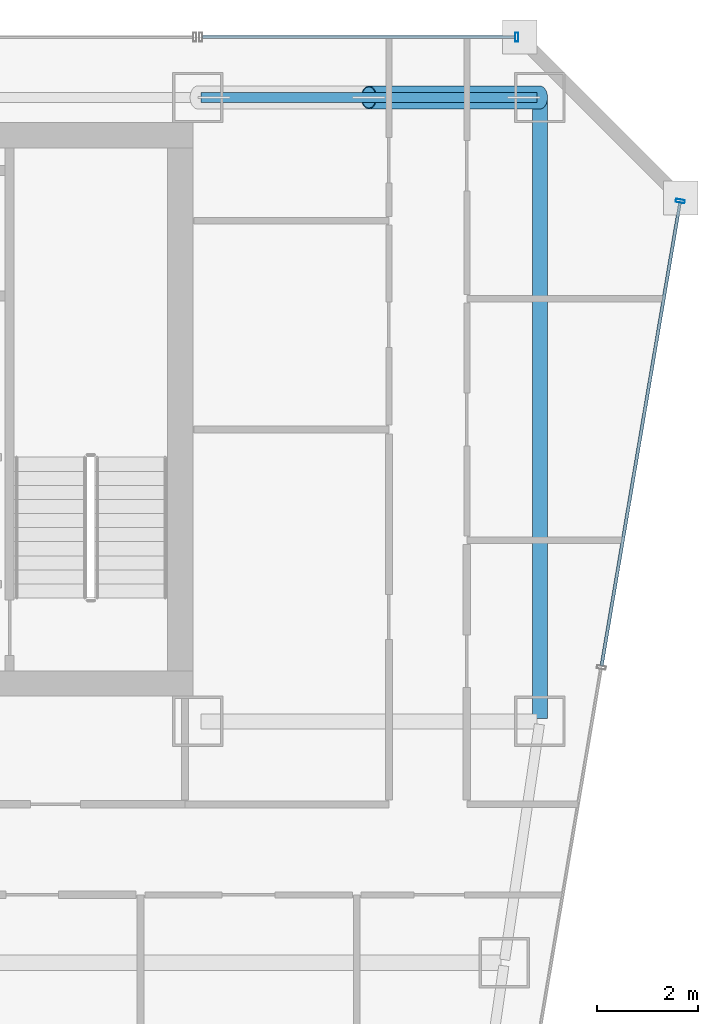
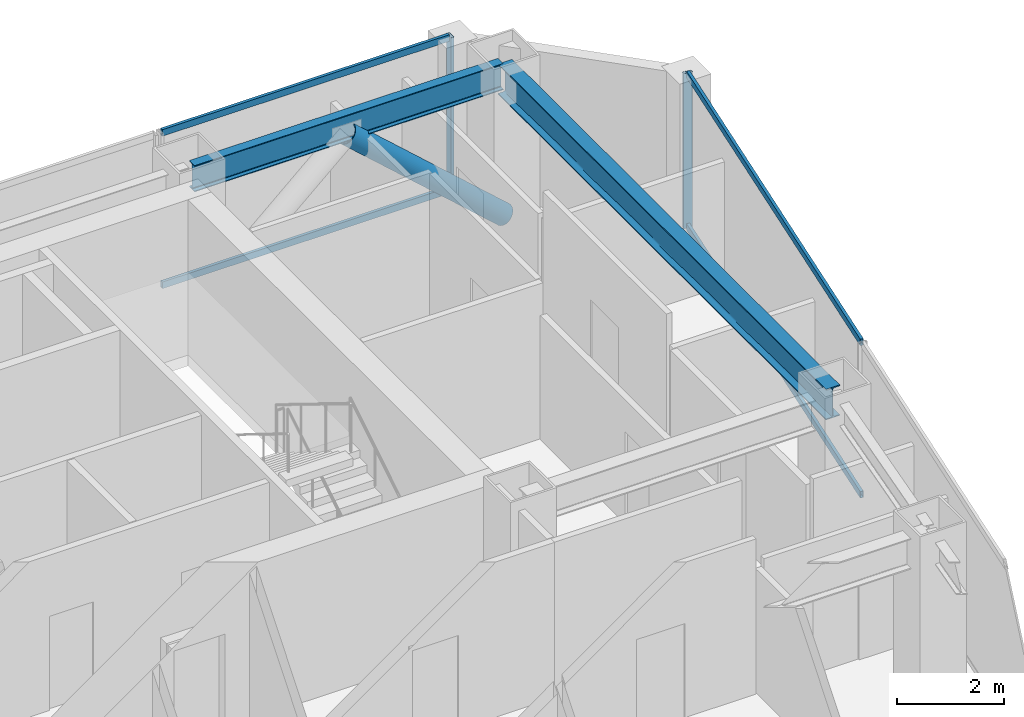
# One storey, part 26 of 35: 7 members, 2 beams, 2 elements without a shape of their own.
"""IFC4 building model written with IfcOpenShell, lengths in metres."""

from ifc_helpers import new_model, si_unit, direction, frame, origin, origin_2d, place, context, subcontext, project, spatial, hollow_rectangle, hollow_circle, i_section, extrude, material, material_profile, profile_set, type_object, element, aggregate, save


model = new_model("IFC4")

# Units and contexts
model_context = context("Model", 3, precision=1e-05, world=origin(), true_north=direction((0.0, 1.0)))
body_context = subcontext(model_context, "Body", "Model", "MODEL_VIEW")
ifc_project = project(units=[si_unit("LENGTHUNIT", "METRE"), si_unit("AREAUNIT", "SQUARE_METRE"), si_unit("VOLUMEUNIT", "CUBIC_METRE"), si_unit("PLANEANGLEUNIT", "RADIAN"), si_unit("MASSUNIT", "GRAM", prefix="KILO")], contexts=[model_context])

# Site, building, storey
site_placement = place(None, origin())
site = spatial("IfcSite", under=ifc_project, at=site_placement, CompositionType="ELEMENT")
building_placement = place(site_placement, origin())
building = spatial("IfcBuilding", under=site, at=building_placement, Name="Saevonmaru Cultural Tower", CompositionType="ELEMENT")
storey_placement = place(building_placement, frame((0.0, 0.0, 175.199951171875)))
storey = spatial("IfcBuildingStorey", under=building, at=storey_placement, Name="L39", CompositionType="ELEMENT", Elevation=175.199951171875)

# Beams
ifc_material_1 = material(Name="Steel SM355", Category="steel")
ifc_material_profile_1 = material_profile(ifc_material_1, i_section(OverallWidth=0.300048828125, OverallDepth=0.699951171875, WebThickness=0.012939453125, FlangeThickness=0.02392578125, FilletRadius=0.02587890625, at=origin_2d()), Name="H-700x300x13x24")
ifc_profile_set_1 = profile_set([ifc_material_profile_1], Name="Steel SM355")
beam_type_1 = type_object("IfcBeamType", Name="BM-G-H700", PredefinedType="BEAM", material=ifc_profile_set_1)
beam_1_placement = place(storey_placement, frame((53.199951171875, 54.739990234375, 3.199951171875), z_axis=(0.0, -1.0, 0.0), x_axis=(1.0, 0.0, 0.0)))
element("IfcBeam", 1, at=beam_1_placement, inside=storey, type_object=beam_type_1, Name="L39 Spine Transverse Girder E", PredefinedType="BEAM", context=body_context, shape_type="SweptSolid", body=[
    extrude(i_section(OverallWidth=0.300048828125, OverallDepth=0.699951171875, WebThickness=0.012939453125, FlangeThickness=0.02392578125, FilletRadius=0.02587890625, at=origin_2d()), origin(), (0.0, 0.0, 1.0), 12.280029296875),
])
ifc_material_profile_2 = material_profile(ifc_material_1, i_section(OverallWidth=0.199951171875, OverallDepth=0.60009765625, WebThickness=0.010986328125, FlangeThickness=0.01708984375, FilletRadius=0.02197265625, at=origin_2d()), Name="H-600x200x11x17")
ifc_profile_set_2 = profile_set([ifc_material_profile_2], Name="Steel SM355")
beam_type_2 = type_object("IfcBeamType", Name="BM-SP-H600", PredefinedType="SPANDREL", material=ifc_profile_set_2)
beam_2_placement = place(storey_placement, frame((46.4599609375, 54.800048828125, 3.25), z_axis=(1.0, 0.0, 0.0), x_axis=(0.0, 1.0, 0.0)))
element("IfcBeam", 2, at=beam_2_placement, inside=storey, type_object=beam_type_2, Name="L39 North Spine Girder 5", PredefinedType="SPANDREL", context=body_context, shape_type="SweptSolid", body=[
    extrude(i_section(OverallWidth=0.199951171875, OverallDepth=0.60009765625, WebThickness=0.010986328125, FlangeThickness=0.01708984375, FilletRadius=0.02197265625, at=origin_2d()), origin(), (0.0, 0.0, 1.0), 6.679931640625),
])

# Member
ifc_material_2 = material(Name="Steel SM420", Category="steel")
ifc_material_profile_3 = material_profile(ifc_material_2, hollow_circle(Radius=0.228515625, WallThickness=0.02001953125, at=origin_2d()), Name="CHS-457.2x20")
ifc_profile_set_3 = profile_set([ifc_material_profile_3], Name="Steel SM420")
member_type_1 = type_object("IfcMemberType", Name="MB-PBR-CHS457", PredefinedType="BRACE", material=ifc_profile_set_3)
member_1_placement = place(storey_placement, frame((53.199951171875, 54.800048828125, 0.02001953125), z_axis=(-0.744366945704, 0.0, 0.667770806597), x_axis=(0.0, -1.0, 0.0)))
element("IfcMember", 3, at=member_1_placement, inside=storey, type_object=member_type_1, Name="L39 Perimeter Braced-Tube Diagonal EN2", PredefinedType="BRACE", context=body_context, shape_type="SweptSolid", body=[
    extrude(hollow_circle(Radius=0.228515625, WallThickness=0.02001953125, at=origin_2d()), origin(), (0.0, 0.0, 1.0), 4.567626953125),
])

# Curtain wall, member
ifc_material_3 = material(Name="Satin Bronze Anodised Aluminium", Category="aluminium")
curtain_wall_type = type_object("IfcCurtainWallType", Name="CW-TYP-B", PredefinedType="NOTDEFINED", material=ifc_material_3)
curtain_wall_1_placement = place(storey_placement, origin())
curtain_wall_1 = element("IfcCurtainWall", 4, at=curtain_wall_1_placement, inside=storey, type_object=curtain_wall_type, Name="L39 Unitised Curtain Wall E8", PredefinedType="NOTDEFINED")
ifc_material_profile_4 = material_profile(ifc_material_3, hollow_rectangle(XDim=0.06494140625, YDim=0.179931640625, WallThickness=0.00390625, at=origin_2d()), Name="ALU-MULL-180x65x4")
ifc_profile_set_4 = profile_set([ifc_material_profile_4], Name="Satin Bronze Anodised Aluminium")
member_type_2 = type_object("IfcMemberType", Name="ML-CW-180x65", PredefinedType="MULLION", material=ifc_profile_set_4)
member_2_placement = place(storey_placement, frame((55.989990234375, 52.74072265625, 0.0), z_axis=(0.0, 0.0, 1.0), x_axis=(0.16692169721, 0.985970155228, 0.0)))
member_2 = element("IfcMember", 5, at=member_2_placement, type_object=member_type_2, Name="CW-TW-L39-E8 mullion 5", PredefinedType="MULLION", context=body_context, shape_type="SweptSolid", body=[
    extrude(hollow_rectangle(XDim=0.06494140625, YDim=0.179931640625, WallThickness=0.00390625, at=origin_2d()), origin(), (0.0, 0.0, 1.0), 3.550048828125),
])

curtain_wall_2_placement = place(storey_placement, origin())
curtain_wall_2 = element("IfcCurtainWall", 6, at=curtain_wall_2_placement, inside=storey, type_object=curtain_wall_type, Name="L39 East Braced Bay Spandrel Curtain Wall E10A", PredefinedType="NOTDEFINED")
member_3_placement = place(storey_placement, frame((52.739990234375, 56.0, 0.0), z_axis=(0.0, 0.0, 1.0), x_axis=(-1.0, 0.0, 0.0)))
member_3 = element("IfcMember", 7, at=member_3_placement, type_object=member_type_2, Name="CW-TW-L39-E10A mullion 1", PredefinedType="MULLION", context=body_context, shape_type="SweptSolid", body=[
    extrude(hollow_rectangle(XDim=0.06494140625, YDim=0.179931640625, WallThickness=0.00390625, at=origin_2d()), origin(), (0.0, 0.0, 1.0), 3.550048828125),
])

# Member
ifc_material_profile_5 = material_profile(ifc_material_3, hollow_rectangle(XDim=0.06494140625, YDim=0.14990234375, WallThickness=0.00390625, at=origin_2d()), Name="ALU-TRAN-150x65x4")
ifc_profile_set_5 = profile_set([ifc_material_profile_5], Name="Satin Bronze Anodised Aluminium")
member_type_3 = type_object("IfcMemberType", Name="TR-CW-150x65", PredefinedType="USERDEFINED", material=ifc_profile_set_5)
member_4_placement = place(storey_placement, frame((54.426025390625, 43.50244140625, 0.032470703125), z_axis=(0.166921263871, 0.985970228591, 0.0), x_axis=(-0.985970228591, 0.166921263871, 0.0)))
member_4 = element("IfcMember", 8, at=member_4_placement, type_object=member_type_3, Name="CW-TW-L39-E8 transom 4.1", ObjectType="TRANSOM", PredefinedType="USERDEFINED", context=body_context, shape_type="SweptSolid", body=[
    extrude(hollow_rectangle(XDim=0.06494140625, YDim=0.14990234375, WallThickness=0.00390625, at=origin_2d()), origin(), (0.0, 0.0, 1.0), 9.33740234375),
])

member_5_placement = place(storey_placement, frame((54.426025390625, 43.50244140625, 3.517578125), z_axis=(0.166921263871, 0.985970228591, 0.0), x_axis=(-0.985970228591, 0.166921263871, 0.0)))
member_5 = element("IfcMember", 9, at=member_5_placement, type_object=member_type_3, Name="CW-TW-L39-E8 transom 4.2", ObjectType="TRANSOM", PredefinedType="USERDEFINED", context=body_context, shape_type="SweptSolid", body=[
    extrude(hollow_rectangle(XDim=0.06494140625, YDim=0.14990234375, WallThickness=0.00390625, at=origin_2d()), origin(), (0.0, 0.0, 1.0), 9.33740234375),
])

aggregate(curtain_wall_1, [member_2, member_4, member_5])

member_6_placement = place(storey_placement, frame((52.70751953125, 56.0, 0.032470703125), z_axis=(-1.0, 0.0, 0.0), x_axis=(0.0, -1.0, 0.0)))
member_6 = element("IfcMember", 10, at=member_6_placement, type_object=member_type_3, Name="CW-TW-L39-E10A transom 1.1", ObjectType="TRANSOM", PredefinedType="USERDEFINED", context=body_context, shape_type="SweptSolid", body=[
    extrude(hollow_rectangle(XDim=0.06494140625, YDim=0.14990234375, WallThickness=0.00390625, at=origin_2d()), origin(), (0.0, 0.0, 1.0), 6.215087890625),
])

member_7_placement = place(storey_placement, frame((52.70751953125, 56.0, 3.517578125), z_axis=(-1.0, 0.0, 0.0), x_axis=(0.0, -1.0, 0.0)))
member_7 = element("IfcMember", 11, at=member_7_placement, type_object=member_type_3, Name="CW-TW-L39-E10A transom 1.2", ObjectType="TRANSOM", PredefinedType="USERDEFINED", context=body_context, shape_type="SweptSolid", body=[
    extrude(hollow_rectangle(XDim=0.06494140625, YDim=0.14990234375, WallThickness=0.00390625, at=origin_2d()), origin(), (0.0, 0.0, 1.0), 6.215087890625),
])

aggregate(curtain_wall_2, [member_3, member_6, member_7])

save(model, "model.ifc")
